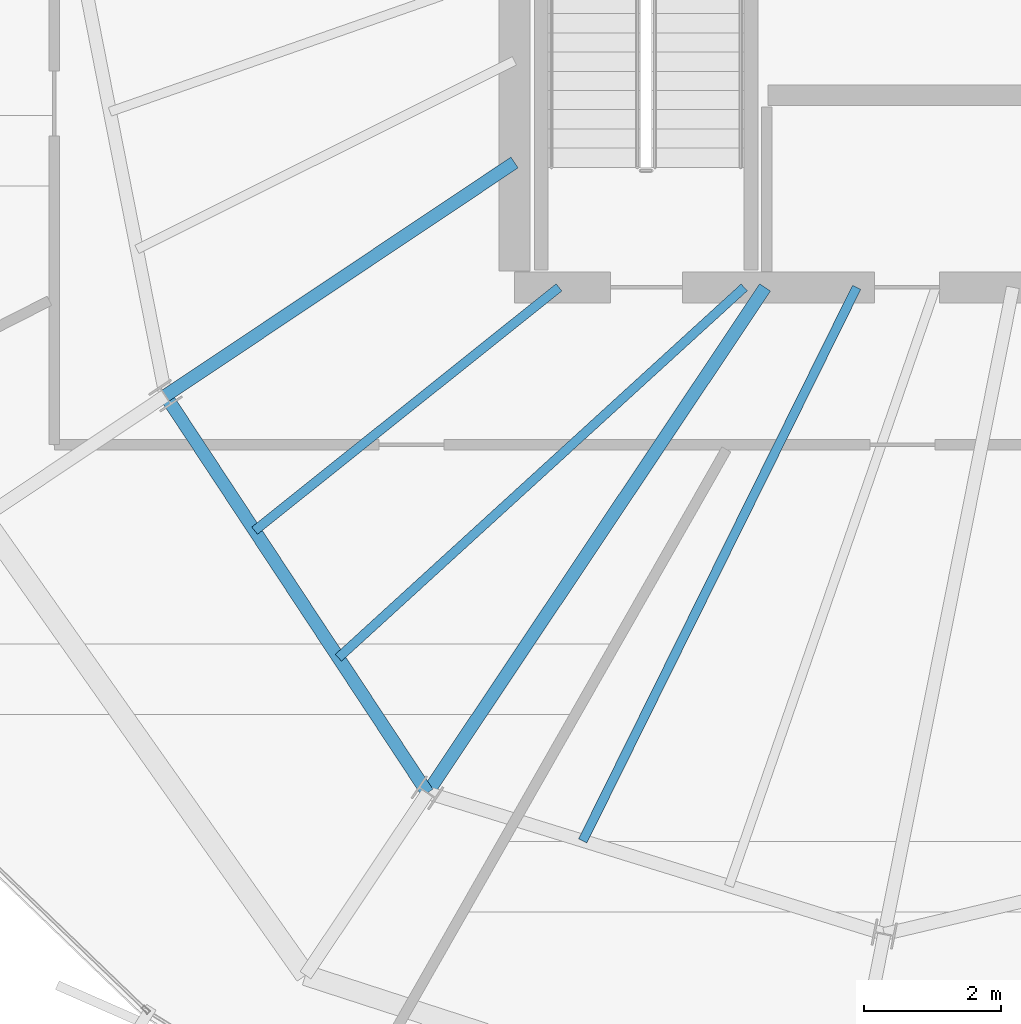
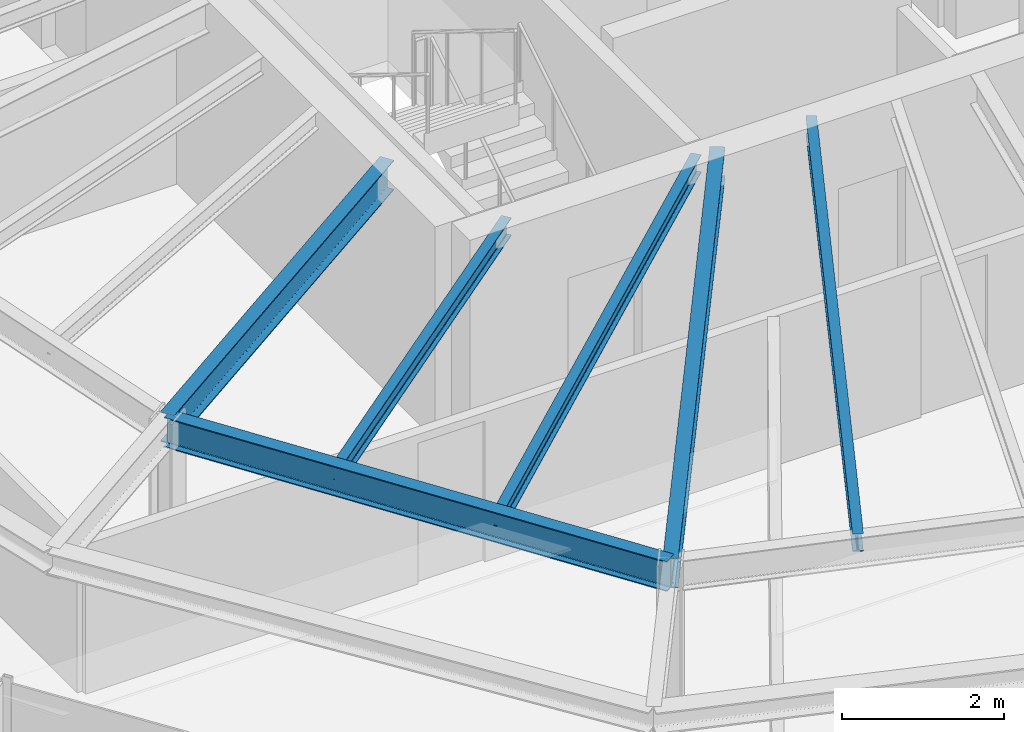
# One storey, part 5 of 35: 6 beams.
"""IFC4 building model written with IfcOpenShell, lengths in metres."""

from ifc_helpers import new_model, si_unit, direction, frame, origin, origin_2d, place, context, subcontext, project, spatial, i_section, extrude, source, transform, mapped, material, material_profile, profile_set, type_object, element, save


model = new_model("IFC4")

# Units and contexts
model_context = context("Model", 3, precision=1e-05, world=origin(), true_north=direction((0.0, 1.0)))
body_context = subcontext(model_context, "Body", "Model", "MODEL_VIEW")
ifc_project = project(units=[si_unit("LENGTHUNIT", "METRE"), si_unit("AREAUNIT", "SQUARE_METRE"), si_unit("VOLUMEUNIT", "CUBIC_METRE"), si_unit("PLANEANGLEUNIT", "RADIAN"), si_unit("MASSUNIT", "GRAM", prefix="KILO"), si_unit("THERMODYNAMICTEMPERATUREUNIT", "KELVIN")], contexts=[model_context])

# Site, building, storey
site_placement = place(None, origin())
site = spatial("IfcSite", under=ifc_project, at=site_placement, CompositionType="ELEMENT")
building_placement = place(site_placement, origin())
building = spatial("IfcBuilding", under=site, at=building_placement, Name="Kethvar Cultural Tower", CompositionType="ELEMENT")
storey_placement = place(building_placement, frame((0.0, 0.0, 245.64990234375)))
storey = spatial("IfcBuildingStorey", under=building, at=storey_placement, Name="L64", CompositionType="ELEMENT", Elevation=245.64990234375)

# Beams
ifc_material = material(Name="Steel S355J2", Category="steel")
ifc_material_profile_1 = material_profile(ifc_material, i_section(OverallWidth=0.18994140625, OverallDepth=0.449951171875, WebThickness=0.009521484375, FlangeThickness=0.0146484375, FilletRadius=0.02099609375, at=origin_2d()), Name="Steel S355J2 — IPE450")
ifc_profile_set_1 = profile_set([ifc_material_profile_1], Name="Steel S355J2 — IPE450")
beam_type_1 = type_object("IfcBeamType", Name="BM-IPE450", PredefinedType="BEAM", material=ifc_profile_set_1)
shared_shape_1 = source(origin(), body_context, "Body", "SweptSolid", [
    extrude(i_section(OverallWidth=0.18994140625, OverallDepth=0.449951171875, WebThickness=0.009521484375, FlangeThickness=0.0146484375, FilletRadius=0.02099609375, at=origin_2d()), origin(), (0.0, 0.0, 1.0), 6.118408203125),
])
beam_1_placement = place(storey_placement, frame((38.0, 21.920166015625, 2.983154296875), z_axis=(-0.831466631282, -0.555574694406, 0.0), x_axis=(0.555574694406, -0.831466631282, 0.0)))
element("IfcBeam", 1, at=beam_1_placement, inside=storey, type_object=beam_type_1, Name="L64 Primary Radial Beam RB-10", PredefinedType="BEAM", context=body_context, shape_type="MappedRepresentation", body=[
    mapped(shared_shape_1, transform((0.0, 0.0, 0.0), scale=1.0)),
])
shared_shape_2 = source(origin(), body_context, "Body", "SweptSolid", [
    extrude(i_section(OverallWidth=0.18994140625, OverallDepth=0.449951171875, WebThickness=0.009521484375, FlangeThickness=0.0146484375, FilletRadius=0.02099609375, at=origin_2d()), origin(), (0.0, 0.0, 1.0), 8.86279296875),
])
beam_2_placement = place(storey_placement, frame((41.655029296875, 20.10009765625, 2.983154296875), z_axis=(-0.555564443415, -0.831473480764, 0.0), x_axis=(0.831473480764, -0.555564443415, 0.0)))
element("IfcBeam", 2, at=beam_2_placement, inside=storey, type_object=beam_type_1, Name="L64 Primary Radial Beam RB-11", PredefinedType="BEAM", context=body_context, shape_type="MappedRepresentation", body=[
    mapped(shared_shape_2, transform((0.0, 0.0, 0.0), scale=1.0)),
])
shared_shape_3 = source(origin(), body_context, "Body", "SweptSolid", [
    extrude(i_section(OverallWidth=0.18994140625, OverallDepth=0.449951171875, WebThickness=0.009521484375, FlangeThickness=0.0146484375, FilletRadius=0.02099609375, at=origin_2d()), origin(), (0.0, 0.0, 1.0), 6.935791015625),
])
beam_3_placement = place(storey_placement, frame((32.912841796875, 18.52099609375, 2.983154296875), z_axis=(0.550534204139, -0.834812607759, 0.0), x_axis=(0.834812607759, 0.550534204139, 0.0)))
element("IfcBeam", 3, at=beam_3_placement, inside=storey, type_object=beam_type_1, Name="L64 Column Ring Tie Beam CR-10", PredefinedType="BEAM", context=body_context, shape_type="MappedRepresentation", body=[
    mapped(shared_shape_3, transform((0.0, 0.0, 0.0), scale=1.0)),
])
ifc_material_profile_2 = material_profile(ifc_material, i_section(OverallWidth=0.135009765625, OverallDepth=0.27001953125, WebThickness=0.006591796875, FlangeThickness=0.01025390625, FilletRadius=0.014892578125, at=origin_2d()), Name="Steel S355J2 — IPE270")
ifc_profile_set_2 = profile_set([ifc_material_profile_2], Name="Steel S355J2 — IPE270")
beam_type_2 = type_object("IfcBeamType", Name="BM-J270", PredefinedType="JOIST", material=ifc_profile_set_2)
shared_shape_4 = source(origin(), body_context, "Body", "SweptSolid", [
    extrude(i_section(OverallWidth=0.135009765625, OverallDepth=0.27001953125, WebThickness=0.006591796875, FlangeThickness=0.01025390625, FilletRadius=0.014892578125, at=origin_2d()), origin(), (0.0, 0.0, 1.0), 5.68212890625),
])
beam_4_placement = place(storey_placement, frame((38.64990234375, 20.10009765625, 3.072998046875), z_axis=(-0.781157957733, -0.624333440615, 0.0), x_axis=(0.624333440615, -0.781157957733, 0.0)))
element("IfcBeam", 4, at=beam_4_placement, inside=storey, type_object=beam_type_2, Name="L64 Composite Floor Joist J-10A", PredefinedType="JOIST", context=body_context, shape_type="MappedRepresentation", body=[
    mapped(shared_shape_4, transform((0.0, 0.0, 0.0), scale=1.0)),
])
shared_shape_5 = source(origin(), body_context, "Body", "SweptSolid", [
    extrude(i_section(OverallWidth=0.135009765625, OverallDepth=0.27001953125, WebThickness=0.006591796875, FlangeThickness=0.01025390625, FilletRadius=0.014892578125, at=origin_2d()), origin(), (0.0, 0.0, 1.0), 8.010986328125),
])
beam_5_placement = place(storey_placement, frame((41.35009765625, 20.10009765625, 3.072998046875), z_axis=(-0.738614798856, -0.674127717061, 0.0), x_axis=(0.674127717061, -0.738614798856, 0.0)))
element("IfcBeam", 5, at=beam_5_placement, inside=storey, type_object=beam_type_2, Name="L64 Composite Floor Joist J-10B", PredefinedType="JOIST", context=body_context, shape_type="MappedRepresentation", body=[
    mapped(shared_shape_5, transform((0.0, 0.0, 0.0), scale=1.0)),
])
shared_shape_6 = source(origin(), body_context, "Body", "SweptSolid", [
    extrude(i_section(OverallWidth=0.135009765625, OverallDepth=0.27001953125, WebThickness=0.006591796875, FlangeThickness=0.01025390625, FilletRadius=0.014892578125, at=origin_2d()), origin(), (0.0, 0.0, 1.0), 9.00341796875),
])
beam_6_placement = place(storey_placement, frame((42.989501953125, 20.10009765625, 3.072998046875), z_axis=(-0.443543695319, -0.896252749141, 0.0), x_axis=(0.896252749141, -0.443543695319, 0.0)))
element("IfcBeam", 6, at=beam_6_placement, inside=storey, type_object=beam_type_2, Name="L64 Composite Floor Joist J-11A", PredefinedType="JOIST", context=body_context, shape_type="MappedRepresentation", body=[
    mapped(shared_shape_6, transform((0.0, 0.0, 0.0), scale=1.0)),
])

save(model, "model.ifc")
